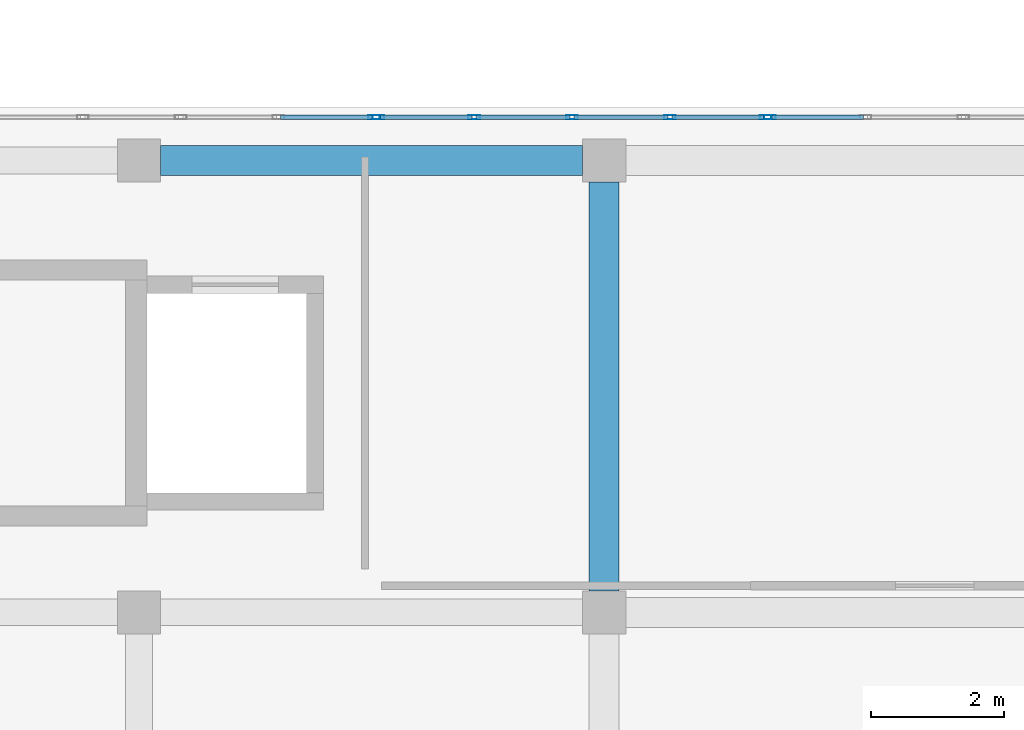
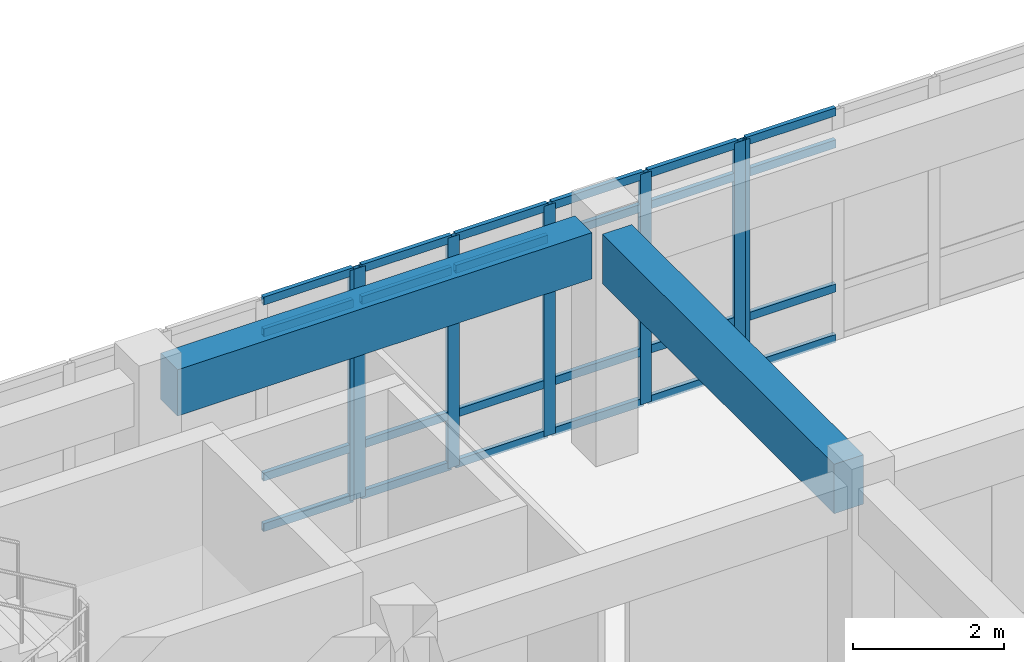
# One storey, part 30 of 146: 31 members, 2 beams, 3 elements without a shape of their own.
"""IFC4 building model written with IfcOpenShell, lengths in metres."""

from ifc_helpers import new_model, si_unit, direction, frame, origin, origin_2d, place, context, subcontext, project, spatial, rectangle, hollow_rectangle, extrude, material, layer, layer_set, material_profile, profile_set, type_object, element, aggregate, save


model = new_model("IFC4")

# Units and contexts
model_context = context("Model", 3, precision=1e-05, world=origin(), true_north=direction((0.0, 1.0)))
body_context = subcontext(model_context, "Body", "Model", "MODEL_VIEW")
ifc_project = project(units=[si_unit("LENGTHUNIT", "METRE"), si_unit("AREAUNIT", "SQUARE_METRE"), si_unit("VOLUMEUNIT", "CUBIC_METRE"), si_unit("PLANEANGLEUNIT", "RADIAN"), si_unit("MASSUNIT", "GRAM", prefix="KILO")], contexts=[model_context])

# Site, building, storey
site_placement = place(None, origin())
site = spatial("IfcSite", under=ifc_project, at=site_placement, CompositionType="ELEMENT")
building_placement = place(site_placement, origin())
building = spatial("IfcBuilding", under=site, at=building_placement, Name="Valcora Specialist Clinic", CompositionType="ELEMENT")
storey_placement = place(building_placement, frame((0.0, 0.0, 9.52001953125)))
storey = spatial("IfcBuildingStorey", under=building, at=storey_placement, Name="L02", CompositionType="ELEMENT", Elevation=9.52001953125)

# Beams
ifc_material_1 = material(Name="Concrete C40/50", Category="concrete")
ifc_material_profile_1 = material_profile(ifc_material_1, rectangle(XDim=0.449951171875, YDim=0.75, at=origin_2d()), Name="RC-BM-450X750")
ifc_profile_set_1 = profile_set([ifc_material_profile_1], Name="Concrete C40/50")
beam_type_1 = type_object("IfcBeamType", Name="TY-BM-RC450X750", PredefinedType="BEAM", material=ifc_profile_set_1)
beam_1_placement = place(storey_placement, frame((38.125, 22.0, 3.35986328125), z_axis=(1.0, 0.0, 0.0), x_axis=(0.0, 1.0, 0.0)))
element("IfcBeam", 1, at=beam_1_placement, inside=storey, type_object=beam_type_1, Name="Beam BM-L02-1007", PredefinedType="BEAM", context=body_context, shape_type="SweptSolid", body=[
    extrude(rectangle(XDim=0.449951171875, YDim=0.75, at=origin_2d()), origin(), (0.0, 0.0, 1.0), 6.35009765625),
])
ifc_material_profile_2 = material_profile(ifc_material_1, rectangle(XDim=0.449951171875, YDim=0.800048828125, at=origin_2d()), Name="RC-BM-450X800")
ifc_profile_set_2 = profile_set([ifc_material_profile_2], Name="Concrete C40/50")
beam_type_2 = type_object("IfcBeamType", Name="TY-BM-RC450X800", PredefinedType="BEAM", material=ifc_profile_set_2)
beam_2_placement = place(storey_placement, frame((44.800048828125, 15.52490234375, 3.3349609375), z_axis=(0.0, 1.0, 0.0), x_axis=(-1.0, 0.0, 0.0)))
element("IfcBeam", 2, at=beam_2_placement, inside=storey, type_object=beam_type_2, Name="Beam BM-L02-1024", PredefinedType="BEAM", context=body_context, shape_type="SweptSolid", body=[
    extrude(rectangle(XDim=0.449951171875, YDim=0.800048828125, at=origin_2d()), origin(), (0.0, 0.0, 1.0), 6.150146484375),
])

# Curtain wall, member
ifc_material_2 = material(Name="Anodized Bronze Aluminium 6063-T6", Category="aluminium")
ifc_layer = layer(ifc_material_2, 0.175048828125)
ifc_layer_set = layer_set([ifc_layer], Name="Anodized Bronze Aluminium 6063-T6")
curtain_wall_type = type_object("IfcCurtainWallType", Name="TY-CW-V5F15", PredefinedType="NOTDEFINED", material=ifc_layer_set)
curtain_wall_1_placement = place(storey_placement, origin())
curtain_wall_1 = element("IfcCurtainWall", 3, at=curtain_wall_1_placement, inside=storey, type_object=curtain_wall_type, Name="Curtain wall CW-L02-149", PredefinedType="NOTDEFINED")
ifc_material_profile_3 = material_profile(ifc_material_2, hollow_rectangle(XDim=0.06494140625, YDim=0.175048828125, WallThickness=0.00390625, at=origin_2d()), Name="AL-MUL-65X175")
ifc_profile_set_3 = profile_set([ifc_material_profile_3], Name="Anodized Bronze Aluminium 6063-T6")
member_type_1 = type_object("IfcMemberType", Name="TY-CWM-65X175", PredefinedType="MULLION", material=ifc_profile_set_3)
member_1_placement = place(storey_placement, frame((41.339599609375, 22.64990234375, 0.0), z_axis=(0.0, 0.0, 1.0), x_axis=(0.0, 1.0, 0.0)))
member_1 = element("IfcMember", 4, at=member_1_placement, type_object=member_type_1, Name="CW-V5F-15 mullion 5", PredefinedType="MULLION", context=body_context, shape_type="SweptSolid", body=[
    extrude(hollow_rectangle(XDim=0.06494140625, YDim=0.175048828125, WallThickness=0.00390625, at=origin_2d()), origin(), (0.0, 0.0, 1.0), 3.73486328125),
])

# Curtain wall, members
curtain_wall_2_placement = place(storey_placement, origin())
curtain_wall_2 = element("IfcCurtainWall", 5, at=curtain_wall_2_placement, inside=storey, type_object=curtain_wall_type, Name="Curtain wall CW-L02-150", PredefinedType="NOTDEFINED")
member_2_placement = place(storey_placement, frame((41.40478515625, 22.64990234375, 0.0), z_axis=(0.0, 0.0, 1.0), x_axis=(0.0, 1.0, 0.0)))
member_2 = element("IfcMember", 6, at=member_2_placement, type_object=member_type_1, Name="CW-V5F-15 mullion 1", PredefinedType="MULLION", context=body_context, shape_type="SweptSolid", body=[
    extrude(hollow_rectangle(XDim=0.06494140625, YDim=0.175048828125, WallThickness=0.00390625, at=origin_2d()), origin(), (0.0, 0.0, 1.0), 3.73486328125),
])
member_3_placement = place(storey_placement, frame((42.844482421875, 22.64990234375, 0.0), z_axis=(0.0, 0.0, 1.0), x_axis=(0.0, 1.0, 0.0)))
member_3 = element("IfcMember", 7, at=member_3_placement, type_object=member_type_1, Name="CW-V5F-15 mullion 2", PredefinedType="MULLION", context=body_context, shape_type="SweptSolid", body=[
    extrude(hollow_rectangle(XDim=0.06494140625, YDim=0.175048828125, WallThickness=0.00390625, at=origin_2d()), origin(), (0.0, 0.0, 1.0), 3.73486328125),
])
member_4_placement = place(storey_placement, frame((44.316650390625, 22.64990234375, 0.0), z_axis=(0.0, 0.0, 1.0), x_axis=(0.0, 1.0, 0.0)))
member_4 = element("IfcMember", 8, at=member_4_placement, type_object=member_type_1, Name="CW-V5F-15 mullion 3", PredefinedType="MULLION", context=body_context, shape_type="SweptSolid", body=[
    extrude(hollow_rectangle(XDim=0.06494140625, YDim=0.175048828125, WallThickness=0.00390625, at=origin_2d()), origin(), (0.0, 0.0, 1.0), 3.73486328125),
])
member_5_placement = place(storey_placement, frame((45.788818359375, 22.64990234375, 0.0), z_axis=(0.0, 0.0, 1.0), x_axis=(0.0, 1.0, 0.0)))
member_5 = element("IfcMember", 9, at=member_5_placement, type_object=member_type_1, Name="CW-V5F-15 mullion 4", PredefinedType="MULLION", context=body_context, shape_type="SweptSolid", body=[
    extrude(hollow_rectangle(XDim=0.06494140625, YDim=0.175048828125, WallThickness=0.00390625, at=origin_2d()), origin(), (0.0, 0.0, 1.0), 3.73486328125),
])
member_6_placement = place(storey_placement, frame((47.228515625, 22.64990234375, 0.0), z_axis=(0.0, 0.0, 1.0), x_axis=(0.0, 1.0, 0.0)))
member_6 = element("IfcMember", 10, at=member_6_placement, type_object=member_type_1, Name="CW-V5F-15 mullion 5", PredefinedType="MULLION", context=body_context, shape_type="SweptSolid", body=[
    extrude(hollow_rectangle(XDim=0.06494140625, YDim=0.175048828125, WallThickness=0.00390625, at=origin_2d()), origin(), (0.0, 0.0, 1.0), 3.73486328125),
])

# Curtain wall, member
curtain_wall_3_placement = place(storey_placement, origin())
curtain_wall_3 = element("IfcCurtainWall", 11, at=curtain_wall_3_placement, inside=storey, type_object=curtain_wall_type, Name="Curtain wall CW-L02-151", PredefinedType="NOTDEFINED")
member_7_placement = place(storey_placement, frame((47.293701171875, 22.64990234375, 0.0), z_axis=(0.0, 0.0, 1.0), x_axis=(0.0, 1.0, 0.0)))
member_7 = element("IfcMember", 12, at=member_7_placement, type_object=member_type_1, Name="CW-V5F-15 mullion 1", PredefinedType="MULLION", context=body_context, shape_type="SweptSolid", body=[
    extrude(hollow_rectangle(XDim=0.06494140625, YDim=0.175048828125, WallThickness=0.00390625, at=origin_2d()), origin(), (0.0, 0.0, 1.0), 3.73486328125),
])

# Member
ifc_material_profile_4 = material_profile(ifc_material_2, hollow_rectangle(XDim=0.06494140625, YDim=0.1298828125, WallThickness=0.00390625, at=origin_2d()), Name="AL-TRN-65X130")
ifc_profile_set_4 = profile_set([ifc_material_profile_4], Name="Anodized Bronze Aluminium 6063-T6")
member_type_2 = type_object("IfcMemberType", Name="TY-CWT-65X130", PredefinedType="USERDEFINED", material=ifc_profile_set_4)
member_8_placement = place(storey_placement, frame((39.932373046875, 22.64990234375, 0.032470703125), z_axis=(1.0, 0.0, 0.0), x_axis=(0.0, 1.0, 0.0)))
member_8 = element("IfcMember", 13, at=member_8_placement, type_object=member_type_2, Name="CW-V5F-15 transom 4.1", ObjectType="TRANSOM", PredefinedType="USERDEFINED", context=body_context, shape_type="SweptSolid", body=[
    extrude(hollow_rectangle(XDim=0.06494140625, YDim=0.1298828125, WallThickness=0.00390625, at=origin_2d()), origin(), (0.0, 0.0, 1.0), 1.374755859375),
])

member_9_placement = place(storey_placement, frame((39.932373046875, 22.64990234375, 0.85009765625), z_axis=(1.0, 0.0, 0.0), x_axis=(0.0, 1.0, 0.0)))
member_9 = element("IfcMember", 14, at=member_9_placement, type_object=member_type_2, Name="CW-V5F-15 transom 4.2", ObjectType="TRANSOM", PredefinedType="USERDEFINED", context=body_context, shape_type="SweptSolid", body=[
    extrude(hollow_rectangle(XDim=0.06494140625, YDim=0.1298828125, WallThickness=0.00390625, at=origin_2d()), origin(), (0.0, 0.0, 1.0), 1.374755859375),
])

member_10_placement = place(storey_placement, frame((39.932373046875, 22.64990234375, 3.18505859375), z_axis=(1.0, 0.0, 0.0), x_axis=(0.0, 1.0, 0.0)))
member_10 = element("IfcMember", 15, at=member_10_placement, type_object=member_type_2, Name="CW-V5F-15 transom 4.3", ObjectType="TRANSOM", PredefinedType="USERDEFINED", context=body_context, shape_type="SweptSolid", body=[
    extrude(hollow_rectangle(XDim=0.06494140625, YDim=0.1298828125, WallThickness=0.00390625, at=origin_2d()), origin(), (0.0, 0.0, 1.0), 1.374755859375),
])

member_11_placement = place(storey_placement, frame((39.932373046875, 22.64990234375, 3.702392578125), z_axis=(1.0, 0.0, 0.0), x_axis=(0.0, 1.0, 0.0)))
member_11 = element("IfcMember", 16, at=member_11_placement, type_object=member_type_2, Name="CW-V5F-15 transom 4.4", ObjectType="TRANSOM", PredefinedType="USERDEFINED", context=body_context, shape_type="SweptSolid", body=[
    extrude(hollow_rectangle(XDim=0.06494140625, YDim=0.1298828125, WallThickness=0.00390625, at=origin_2d()), origin(), (0.0, 0.0, 1.0), 1.374755859375),
])

aggregate(curtain_wall_1, [member_1, member_8, member_9, member_10, member_11])

member_12_placement = place(storey_placement, frame((41.437255859375, 22.64990234375, 0.032470703125), z_axis=(1.0, 0.0, 0.0), x_axis=(0.0, 1.0, 0.0)))
member_12 = element("IfcMember", 17, at=member_12_placement, type_object=member_type_2, Name="CW-V5F-15 transom 1.1", ObjectType="TRANSOM", PredefinedType="USERDEFINED", context=body_context, shape_type="SweptSolid", body=[
    extrude(hollow_rectangle(XDim=0.06494140625, YDim=0.1298828125, WallThickness=0.00390625, at=origin_2d()), origin(), (0.0, 0.0, 1.0), 1.374755859375),
])

member_13_placement = place(storey_placement, frame((41.437255859375, 22.64990234375, 0.85009765625), z_axis=(1.0, 0.0, 0.0), x_axis=(0.0, 1.0, 0.0)))
member_13 = element("IfcMember", 18, at=member_13_placement, type_object=member_type_2, Name="CW-V5F-15 transom 1.2", ObjectType="TRANSOM", PredefinedType="USERDEFINED", context=body_context, shape_type="SweptSolid", body=[
    extrude(hollow_rectangle(XDim=0.06494140625, YDim=0.1298828125, WallThickness=0.00390625, at=origin_2d()), origin(), (0.0, 0.0, 1.0), 1.374755859375),
])

member_14_placement = place(storey_placement, frame((41.437255859375, 22.64990234375, 3.18505859375), z_axis=(1.0, 0.0, 0.0), x_axis=(0.0, 1.0, 0.0)))
member_14 = element("IfcMember", 19, at=member_14_placement, type_object=member_type_2, Name="CW-V5F-15 transom 1.3", ObjectType="TRANSOM", PredefinedType="USERDEFINED", context=body_context, shape_type="SweptSolid", body=[
    extrude(hollow_rectangle(XDim=0.06494140625, YDim=0.1298828125, WallThickness=0.00390625, at=origin_2d()), origin(), (0.0, 0.0, 1.0), 1.374755859375),
])

member_15_placement = place(storey_placement, frame((41.437255859375, 22.64990234375, 3.702392578125), z_axis=(1.0, 0.0, 0.0), x_axis=(0.0, 1.0, 0.0)))
member_15 = element("IfcMember", 20, at=member_15_placement, type_object=member_type_2, Name="CW-V5F-15 transom 1.4", ObjectType="TRANSOM", PredefinedType="USERDEFINED", context=body_context, shape_type="SweptSolid", body=[
    extrude(hollow_rectangle(XDim=0.06494140625, YDim=0.1298828125, WallThickness=0.00390625, at=origin_2d()), origin(), (0.0, 0.0, 1.0), 1.374755859375),
])

member_16_placement = place(storey_placement, frame((42.876953125, 22.64990234375, 0.032470703125), z_axis=(1.0, 0.0, 0.0), x_axis=(0.0, 1.0, 0.0)))
member_16 = element("IfcMember", 21, at=member_16_placement, type_object=member_type_2, Name="CW-V5F-15 transom 2.1", ObjectType="TRANSOM", PredefinedType="USERDEFINED", context=body_context, shape_type="SweptSolid", body=[
    extrude(hollow_rectangle(XDim=0.06494140625, YDim=0.1298828125, WallThickness=0.00390625, at=origin_2d()), origin(), (0.0, 0.0, 1.0), 1.4072265625),
])

member_17_placement = place(storey_placement, frame((42.876953125, 22.64990234375, 0.85009765625), z_axis=(1.0, 0.0, 0.0), x_axis=(0.0, 1.0, 0.0)))
member_17 = element("IfcMember", 22, at=member_17_placement, type_object=member_type_2, Name="CW-V5F-15 transom 2.2", ObjectType="TRANSOM", PredefinedType="USERDEFINED", context=body_context, shape_type="SweptSolid", body=[
    extrude(hollow_rectangle(XDim=0.06494140625, YDim=0.1298828125, WallThickness=0.00390625, at=origin_2d()), origin(), (0.0, 0.0, 1.0), 1.4072265625),
])

member_18_placement = place(storey_placement, frame((42.876953125, 22.64990234375, 3.18505859375), z_axis=(1.0, 0.0, 0.0), x_axis=(0.0, 1.0, 0.0)))
member_18 = element("IfcMember", 23, at=member_18_placement, type_object=member_type_2, Name="CW-V5F-15 transom 2.3", ObjectType="TRANSOM", PredefinedType="USERDEFINED", context=body_context, shape_type="SweptSolid", body=[
    extrude(hollow_rectangle(XDim=0.06494140625, YDim=0.1298828125, WallThickness=0.00390625, at=origin_2d()), origin(), (0.0, 0.0, 1.0), 1.4072265625),
])

member_19_placement = place(storey_placement, frame((42.876953125, 22.64990234375, 3.702392578125), z_axis=(1.0, 0.0, 0.0), x_axis=(0.0, 1.0, 0.0)))
member_19 = element("IfcMember", 24, at=member_19_placement, type_object=member_type_2, Name="CW-V5F-15 transom 2.4", ObjectType="TRANSOM", PredefinedType="USERDEFINED", context=body_context, shape_type="SweptSolid", body=[
    extrude(hollow_rectangle(XDim=0.06494140625, YDim=0.1298828125, WallThickness=0.00390625, at=origin_2d()), origin(), (0.0, 0.0, 1.0), 1.4072265625),
])

member_20_placement = place(storey_placement, frame((44.34912109375, 22.64990234375, 0.032470703125), z_axis=(1.0, 0.0, 0.0), x_axis=(0.0, 1.0, 0.0)))
member_20 = element("IfcMember", 25, at=member_20_placement, type_object=member_type_2, Name="CW-V5F-15 transom 3.1", ObjectType="TRANSOM", PredefinedType="USERDEFINED", context=body_context, shape_type="SweptSolid", body=[
    extrude(hollow_rectangle(XDim=0.06494140625, YDim=0.1298828125, WallThickness=0.00390625, at=origin_2d()), origin(), (0.0, 0.0, 1.0), 1.4072265625),
])

member_21_placement = place(storey_placement, frame((44.34912109375, 22.64990234375, 0.85009765625), z_axis=(1.0, 0.0, 0.0), x_axis=(0.0, 1.0, 0.0)))
member_21 = element("IfcMember", 26, at=member_21_placement, type_object=member_type_2, Name="CW-V5F-15 transom 3.2", ObjectType="TRANSOM", PredefinedType="USERDEFINED", context=body_context, shape_type="SweptSolid", body=[
    extrude(hollow_rectangle(XDim=0.06494140625, YDim=0.1298828125, WallThickness=0.00390625, at=origin_2d()), origin(), (0.0, 0.0, 1.0), 1.4072265625),
])

member_22_placement = place(storey_placement, frame((44.34912109375, 22.64990234375, 3.18505859375), z_axis=(1.0, 0.0, 0.0), x_axis=(0.0, 1.0, 0.0)))
member_22 = element("IfcMember", 27, at=member_22_placement, type_object=member_type_2, Name="CW-V5F-15 transom 3.3", ObjectType="TRANSOM", PredefinedType="USERDEFINED", context=body_context, shape_type="SweptSolid", body=[
    extrude(hollow_rectangle(XDim=0.06494140625, YDim=0.1298828125, WallThickness=0.00390625, at=origin_2d()), origin(), (0.0, 0.0, 1.0), 1.4072265625),
])

member_23_placement = place(storey_placement, frame((44.34912109375, 22.64990234375, 3.702392578125), z_axis=(1.0, 0.0, 0.0), x_axis=(0.0, 1.0, 0.0)))
member_23 = element("IfcMember", 28, at=member_23_placement, type_object=member_type_2, Name="CW-V5F-15 transom 3.4", ObjectType="TRANSOM", PredefinedType="USERDEFINED", context=body_context, shape_type="SweptSolid", body=[
    extrude(hollow_rectangle(XDim=0.06494140625, YDim=0.1298828125, WallThickness=0.00390625, at=origin_2d()), origin(), (0.0, 0.0, 1.0), 1.4072265625),
])

member_24_placement = place(storey_placement, frame((45.8212890625, 22.64990234375, 0.032470703125), z_axis=(1.0, 0.0, 0.0), x_axis=(0.0, 1.0, 0.0)))
member_24 = element("IfcMember", 29, at=member_24_placement, type_object=member_type_2, Name="CW-V5F-15 transom 4.1", ObjectType="TRANSOM", PredefinedType="USERDEFINED", context=body_context, shape_type="SweptSolid", body=[
    extrude(hollow_rectangle(XDim=0.06494140625, YDim=0.1298828125, WallThickness=0.00390625, at=origin_2d()), origin(), (0.0, 0.0, 1.0), 1.374755859375),
])

member_25_placement = place(storey_placement, frame((45.8212890625, 22.64990234375, 0.85009765625), z_axis=(1.0, 0.0, 0.0), x_axis=(0.0, 1.0, 0.0)))
member_25 = element("IfcMember", 30, at=member_25_placement, type_object=member_type_2, Name="CW-V5F-15 transom 4.2", ObjectType="TRANSOM", PredefinedType="USERDEFINED", context=body_context, shape_type="SweptSolid", body=[
    extrude(hollow_rectangle(XDim=0.06494140625, YDim=0.1298828125, WallThickness=0.00390625, at=origin_2d()), origin(), (0.0, 0.0, 1.0), 1.374755859375),
])

member_26_placement = place(storey_placement, frame((45.8212890625, 22.64990234375, 3.18505859375), z_axis=(1.0, 0.0, 0.0), x_axis=(0.0, 1.0, 0.0)))
member_26 = element("IfcMember", 31, at=member_26_placement, type_object=member_type_2, Name="CW-V5F-15 transom 4.3", ObjectType="TRANSOM", PredefinedType="USERDEFINED", context=body_context, shape_type="SweptSolid", body=[
    extrude(hollow_rectangle(XDim=0.06494140625, YDim=0.1298828125, WallThickness=0.00390625, at=origin_2d()), origin(), (0.0, 0.0, 1.0), 1.374755859375),
])

member_27_placement = place(storey_placement, frame((45.8212890625, 22.64990234375, 3.702392578125), z_axis=(1.0, 0.0, 0.0), x_axis=(0.0, 1.0, 0.0)))
member_27 = element("IfcMember", 32, at=member_27_placement, type_object=member_type_2, Name="CW-V5F-15 transom 4.4", ObjectType="TRANSOM", PredefinedType="USERDEFINED", context=body_context, shape_type="SweptSolid", body=[
    extrude(hollow_rectangle(XDim=0.06494140625, YDim=0.1298828125, WallThickness=0.00390625, at=origin_2d()), origin(), (0.0, 0.0, 1.0), 1.374755859375),
])

aggregate(curtain_wall_2, [member_2, member_3, member_4, member_5, member_6, member_12, member_13, member_14, member_15, member_16, member_17, member_18, member_19, member_20, member_21, member_22, member_23, member_24, member_25, member_26, member_27])

member_28_placement = place(storey_placement, frame((47.326171875, 22.64990234375, 0.032470703125), z_axis=(1.0, 0.0, 0.0), x_axis=(0.0, 1.0, 0.0)))
member_28 = element("IfcMember", 33, at=member_28_placement, type_object=member_type_2, Name="CW-V5F-15 transom 1.1", ObjectType="TRANSOM", PredefinedType="USERDEFINED", context=body_context, shape_type="SweptSolid", body=[
    extrude(hollow_rectangle(XDim=0.06494140625, YDim=0.1298828125, WallThickness=0.00390625, at=origin_2d()), origin(), (0.0, 0.0, 1.0), 1.374755859375),
])

member_29_placement = place(storey_placement, frame((47.326171875, 22.64990234375, 0.85009765625), z_axis=(1.0, 0.0, 0.0), x_axis=(0.0, 1.0, 0.0)))
member_29 = element("IfcMember", 34, at=member_29_placement, type_object=member_type_2, Name="CW-V5F-15 transom 1.2", ObjectType="TRANSOM", PredefinedType="USERDEFINED", context=body_context, shape_type="SweptSolid", body=[
    extrude(hollow_rectangle(XDim=0.06494140625, YDim=0.1298828125, WallThickness=0.00390625, at=origin_2d()), origin(), (0.0, 0.0, 1.0), 1.374755859375),
])

member_30_placement = place(storey_placement, frame((47.326171875, 22.64990234375, 3.18505859375), z_axis=(1.0, 0.0, 0.0), x_axis=(0.0, 1.0, 0.0)))
member_30 = element("IfcMember", 35, at=member_30_placement, type_object=member_type_2, Name="CW-V5F-15 transom 1.3", ObjectType="TRANSOM", PredefinedType="USERDEFINED", context=body_context, shape_type="SweptSolid", body=[
    extrude(hollow_rectangle(XDim=0.06494140625, YDim=0.1298828125, WallThickness=0.00390625, at=origin_2d()), origin(), (0.0, 0.0, 1.0), 1.374755859375),
])

member_31_placement = place(storey_placement, frame((47.326171875, 22.64990234375, 3.702392578125), z_axis=(1.0, 0.0, 0.0), x_axis=(0.0, 1.0, 0.0)))
member_31 = element("IfcMember", 36, at=member_31_placement, type_object=member_type_2, Name="CW-V5F-15 transom 1.4", ObjectType="TRANSOM", PredefinedType="USERDEFINED", context=body_context, shape_type="SweptSolid", body=[
    extrude(hollow_rectangle(XDim=0.06494140625, YDim=0.1298828125, WallThickness=0.00390625, at=origin_2d()), origin(), (0.0, 0.0, 1.0), 1.374755859375),
])

aggregate(curtain_wall_3, [member_7, member_28, member_29, member_30, member_31])

save(model, "model.ifc")
